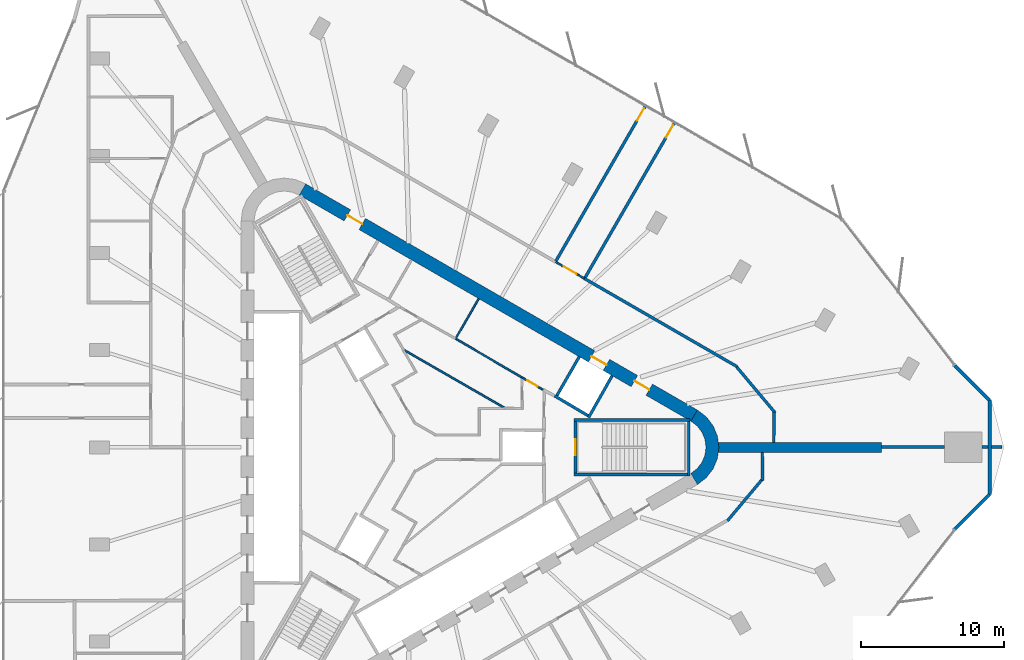
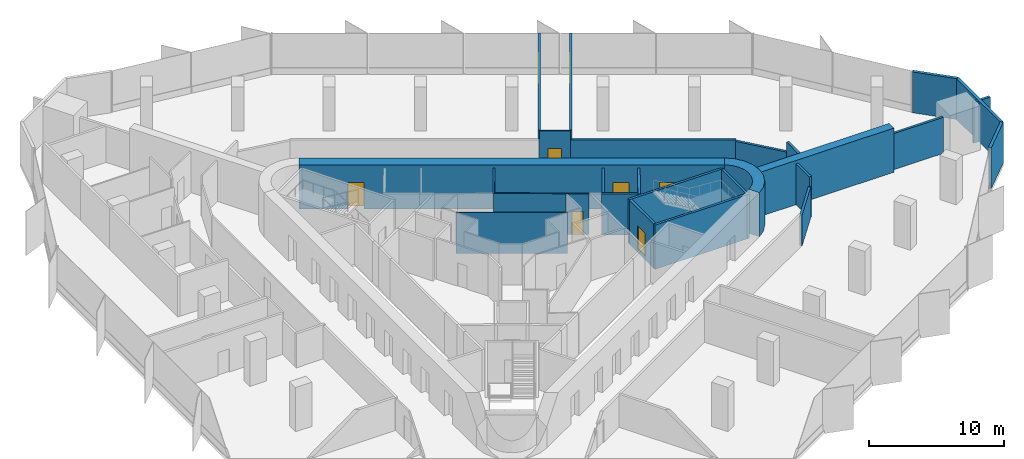
# One storey, part 12 of 14: 28 walls, 8 doors, 8 openings.
"""IFC4 building model written with IfcOpenShell, lengths in metres."""

from ifc_helpers import new_model, si_unit, direction, frame, frame_2d, origin, place, context, subcontext, project, spatial, polyline, rectangle, outline, extrude, material, layer, layer_set, type_object, element, fill, save


model = new_model("IFC4")

# Units and contexts
model_context = context("Model", 3, precision=1e-05, world=origin(), true_north=direction((0.0, 1.0)))
body_context = subcontext(model_context, "Body", "Model", "MODEL_VIEW")
ifc_project = project(units=[si_unit("LENGTHUNIT", "METRE"), si_unit("AREAUNIT", "SQUARE_METRE"), si_unit("VOLUMEUNIT", "CUBIC_METRE"), si_unit("PLANEANGLEUNIT", "RADIAN"), si_unit("MASSUNIT", "GRAM", prefix="KILO")], contexts=[model_context])

# Site, building, storey
site_placement = place(None, origin())
site = spatial("IfcSite", under=ifc_project, at=site_placement, CompositionType="ELEMENT")
building_placement = place(site_placement, origin())
building = spatial("IfcBuilding", under=site, at=building_placement, Name="Tanit Gate Tower", CompositionType="ELEMENT")
storey_placement = place(building_placement, frame((0.0, 0.0, 233.199951171875)))
storey = spatial("IfcBuildingStorey", under=building, at=storey_placement, Name="L52", CompositionType="ELEMENT", Elevation=233.199951171875)

# Wall
ifc_material_1 = material(Name="Concrete C50/60", Category="concrete")
ifc_layer_1 = layer(ifc_material_1, 0.699951171875)
ifc_layer_set_1 = layer_set([ifc_layer_1], Name="BUTTRESS FIN 700 C50/60")
wall_type_1 = type_object("IfcWallType", Name="BUTTRESS FIN 700 C50/60", PredefinedType="SHEAR", material=ifc_layer_set_1)
wall_1_placement = place(storey_placement, frame((21.14990234375, 0.0, 0.0), z_axis=(0.0, 0.0, 1.0), x_axis=(1.0, 0.0, 0.0)))
element("IfcWall", 1, at=wall_1_placement, inside=storey, type_object=wall_type_1, Name="BUTTRESS FIN", PredefinedType="SHEAR", context=body_context, shape_type="SweptSolid", body=[
    extrude(rectangle(XDim=11.3681640625, YDim=0.699951171875, at=frame_2d((5.68408203125, 0.0))), origin(), (0.0, 0.0, 1.0), 4.0),
])

# Wall, openings, doors
ifc_material_2 = material(Name="Concrete C50/60", Category="concrete")
ifc_layer_2 = layer(ifc_material_2, 0.89990234375)
ifc_layer_set_2 = layer_set([ifc_layer_2], Name="CORE WALL 900 C50/60")
wall_type_2 = type_object("IfcWallType", Name="CORE WALL 900 C50/60", PredefinedType="SHEAR", material=ifc_layer_set_2)
wall_2_placement = place(storey_placement, frame((19.47509765625, 2.20849609375, 0.0), z_axis=(0.0, 0.0, 1.0), x_axis=(-0.866028369851, 0.499994862586, 0.0)))
wall_2 = element("IfcWall", 2, at=wall_2_placement, inside=storey, type_object=wall_type_2, Name="CORE WALL", PredefinedType="SHEAR", context=body_context, shape_type="SweptSolid", body=[
    extrude(rectangle(XDim=31.523193359375, YDim=0.89990234375, at=frame_2d((15.76171875, 0.0))), origin(), (0.0, 0.0, 1.0), 4.0),
])
opening_1_placement = place(wall_2_placement, frame((7.0615234375, 0.0, 0.0)))
opening_1 = element("IfcOpeningElement", 3, at=opening_1_placement, cuts=wall_2, Name="Opening LDML8-S14", PredefinedType="OPENING", context=body_context, shape_type="SweptSolid", body=[
    extrude(rectangle(XDim=1.199951171875, YDim=2.39990234375, at=frame_2d((0.60009765625, 1.199951171875))), frame((0.0, 0.4599609375, 0.0), z_axis=(0.0, -1.0, 0.0), x_axis=(1.0, 0.0, 0.0)), (0.0, 0.0, 1.0), 0.919921875),
])
opening_2_placement = place(wall_2_placement, frame((3.611572265625, 0.0, 0.0)))
opening_2 = element("IfcOpeningElement", 4, at=opening_2_placement, cuts=wall_2, Name="Opening F12-S14-FL1", PredefinedType="OPENING", context=body_context, shape_type="SweptSolid", body=[
    extrude(rectangle(XDim=1.199951171875, YDim=2.39990234375, at=frame_2d((0.60009765625, 1.199951171875))), frame((0.0, 0.4599609375, 0.0), z_axis=(0.0, -1.0, 0.0), x_axis=(1.0, 0.0, 0.0)), (0.0, 0.0, 1.0), 0.919921875),
])
opening_3_placement = place(wall_2_placement, frame((26.711669921875, 0.0, 0.0)))
opening_3 = element("IfcOpeningElement", 5, at=opening_3_placement, cuts=wall_2, Name="Opening F12-S14-S2", PredefinedType="OPENING", context=body_context, shape_type="SweptSolid", body=[
    extrude(rectangle(XDim=1.199951171875, YDim=2.39990234375, at=frame_2d((0.60009765625, 1.199951171875))), frame((0.0, 0.4599609375, 0.0), z_axis=(0.0, -1.0, 0.0), x_axis=(1.0, 0.0, 0.0)), (0.0, 0.0, 1.0), 0.919921875),
])
ifc_material_3 = material(Name="Fire-rated steel door leaf", Category="steel")
door_type_1 = type_object("IfcDoorType", Name="INT-DOOR-FIRE-LOBBY-1200", OperationType="NOTDEFINED", PredefinedType="USERDEFINED", material=ifc_material_3)
door_1_placement = place(opening_2_placement, origin())
door_1 = element("IfcDoor", 6, at=door_1_placement, inside=storey, type_object=door_type_1, Name="Door F12-S14-FL1", ObjectType="FIRE DOOR", OperationType="SINGLE_SWING_RIGHT", OverallHeight=2.39990234375, OverallWidth=1.199951171875, PredefinedType="USERDEFINED", context=body_context, shape_type="SweptSolid", body=[
    extrude(rectangle(XDim=1.199951171875, YDim=2.39990234375, at=frame_2d((0.60009765625, 1.199951171875))), frame((0.0, 0.02490234375, 0.0), z_axis=(0.0, -1.0, 0.0), x_axis=(1.0, 0.0, 0.0)), (0.0, 0.0, 1.0), 0.050048828125),
])
fill(opening_2, door_1)
door_2_placement = place(opening_3_placement, origin())
door_2 = element("IfcDoor", 7, at=door_2_placement, inside=storey, type_object=door_type_1, Name="Door F12-S14-S2", ObjectType="FIRE DOOR", OperationType="SINGLE_SWING_RIGHT", OverallHeight=2.39990234375, OverallWidth=1.199951171875, PredefinedType="USERDEFINED", context=body_context, shape_type="SweptSolid", body=[
    extrude(rectangle(XDim=1.199951171875, YDim=2.39990234375, at=frame_2d((0.60009765625, 1.199951171875))), frame((0.0, 0.02490234375, 0.0), z_axis=(0.0, -1.0, 0.0), x_axis=(1.0, 0.0, 0.0)), (0.0, 0.0, 1.0), 0.050048828125),
])
fill(opening_3, door_2)
ifc_material_4 = material(Name="Stainless steel sliding door leaf", Category="steel")
door_type_2 = type_object("IfcDoorType", Name="INT-DOOR-LANDING-1200", OperationType="NOTDEFINED", PredefinedType="USERDEFINED", material=ifc_material_4)
door_3_placement = place(opening_1_placement, origin())
door_3 = element("IfcDoor", 8, at=door_3_placement, inside=storey, type_object=door_type_2, Name="Door LDML8-S14", ObjectType="LANDING DOOR", OperationType="SLIDING_TO_LEFT", OverallHeight=2.39990234375, OverallWidth=1.199951171875, PredefinedType="USERDEFINED", context=body_context, shape_type="SweptSolid", body=[
    extrude(rectangle(XDim=1.199951171875, YDim=2.39990234375, at=frame_2d((0.60009765625, 1.199951171875))), frame((0.0, 0.02490234375, 0.0), z_axis=(0.0, -1.0, 0.0), x_axis=(1.0, 0.0, 0.0)), (0.0, 0.0, 1.0), 0.050048828125),
])
fill(opening_1, door_3)

# Walls
wall_3_placement = place(storey_placement, origin())
element("IfcWall", 9, at=wall_3_placement, inside=storey, type_object=wall_type_2, Name="CORE WALL CORNER", PredefinedType="SHEAR", context=body_context, shape_type="SweptSolid", body=[
    extrude(outline(polyline([(19.699951171875, -2.59814453125), (20.3212890625, -2.121337890625), (20.798095703125, -1.5), (21.097900390625, -0.776611328125), (21.199951171875, 0.0), (21.097900390625, 0.776611328125), (20.798095703125, 1.5), (20.3212890625, 2.121337890625), (19.699951171875, 2.59814453125), (19.25, 1.818603515625), (19.684814453125, 1.48486328125), (20.018798828125, 1.050048828125), (20.228515625, 0.54345703125), (20.300048828125, 0.0), (20.228515625, -0.54345703125), (20.018798828125, -1.050048828125), (19.684814453125, -1.48486328125), (19.25, -1.818603515625), (19.699951171875, -2.59814453125)])), origin(), (0.0, 0.0, 1.0), 4.0),
])
ifc_material_5 = material(Name="Concrete C30/37 with bronze anodised aluminium cladding", Category="concrete")
ifc_layer_3 = layer(ifc_material_5, 0.239990234375)
ifc_layer_set_3 = layer_set([ifc_layer_3], Name="Facade wall bronze clad 240")
wall_type_3 = type_object("IfcWallType", Name="Facade wall bronze clad 240", PredefinedType="SOLIDWALL", material=ifc_layer_set_3)
wall_4_placement = place(storey_placement, frame((37.635009765625, -5.713134765625, 0.0), z_axis=(0.0, 0.0, 1.0), x_axis=(0.707106781187, 0.707106781187, 0.0)))
element("IfcWall", 10, at=wall_4_placement, inside=storey, type_object=wall_type_3, Name="Bronze-clad facade wall L52 E.arc1", PredefinedType="SOLIDWALL", context=body_context, shape_type="SweptSolid", body=[
    extrude(rectangle(XDim=3.437744140625, YDim=0.239990234375, at=frame_2d((1.71875, 0.0))), origin(), (0.0, 0.0, 1.0), 3.699951171875),
])
wall_5_placement = place(storey_placement, frame((40.06591796875, -3.2822265625, 0.0), z_axis=(0.0, 0.0, 1.0), x_axis=(0.0, 1.0, 0.0)))
element("IfcWall", 11, at=wall_5_placement, inside=storey, type_object=wall_type_3, Name="Bronze-clad facade wall L52 E.arc2", PredefinedType="SOLIDWALL", context=body_context, shape_type="SweptSolid", body=[
    extrude(rectangle(XDim=6.564453125, YDim=0.239990234375, at=frame_2d((3.2822265625, 0.0))), origin(), (0.0, 0.0, 1.0), 3.699951171875),
])
wall_6_placement = place(storey_placement, frame((40.06591796875, 3.2822265625, 0.0), z_axis=(0.0, 0.0, 1.0), x_axis=(-0.707106781187, 0.707106781187, 0.0)))
element("IfcWall", 12, at=wall_6_placement, inside=storey, type_object=wall_type_3, Name="Bronze-clad facade wall L52 E.arc3", PredefinedType="SOLIDWALL", context=body_context, shape_type="SweptSolid", body=[
    extrude(rectangle(XDim=3.437744140625, YDim=0.239990234375, at=frame_2d((1.71875, 0.0))), origin(), (0.0, 0.0, 1.0), 3.699951171875),
])
ifc_material_6 = material(Name="Fire-rated gypsum board partition")
ifc_layer_4 = layer(ifc_material_6, 0.199951171875)
ifc_layer_set_4 = layer_set([ifc_layer_4], Name="INT-WALL-COMPARTMENT")
wall_type_4 = type_object("IfcWallType", Name="INT-WALL-COMPARTMENT", PredefinedType="PARTITIONING", material=ifc_layer_set_4)
wall_7_placement = place(storey_placement, frame((22.466064453125, 5.619873046875, 0.0), z_axis=(0.0, 0.0, 1.0), x_axis=(-0.866024234898, 0.500002024564, 0.0)))
element("IfcWall", 13, at=wall_7_placement, inside=storey, type_object=wall_type_4, Name="Wall Compartment W112", PredefinedType="PARTITIONING", context=body_context, shape_type="SweptSolid", body=[
    extrude(rectangle(XDim=12.29638671875, YDim=0.199951171875, at=frame_2d((6.148193359375, 0.0))), origin(), (0.0, 0.0, 1.0), 2.880126953125),
])
wall_8_placement = place(storey_placement, frame((25.12109375, 2.40283203125, 0.0), z_axis=(0.0, 0.0, 1.0), x_axis=(-0.642809831665, 0.766025796116, 0.0)))
element("IfcWall", 14, at=wall_8_placement, inside=storey, type_object=wall_type_4, Name="Wall Compartment W113", PredefinedType="PARTITIONING", context=body_context, shape_type="SweptSolid", body=[
    extrude(rectangle(XDim=4.164794921875, YDim=0.199951171875, at=frame_2d((2.08251953125, 0.0))), origin(), (0.0, 0.0, 1.0), 2.780029296875),
])
wall_9_placement = place(storey_placement, frame((25.0205078125, 0.35009765625, 0.0), z_axis=(0.0, 0.0, 1.0), x_axis=(0.012014998271, 0.999927817303, 0.0)))
element("IfcWall", 15, at=wall_9_placement, inside=storey, type_object=wall_type_4, Name="Wall Compartment W114", PredefinedType="PARTITIONING", context=body_context, shape_type="SweptSolid", body=[
    extrude(rectangle(XDim=2.093017578125, YDim=0.199951171875, at=frame_2d((1.04638671875, 0.0))), origin(), (0.0, 0.0, 1.0), 3.699951171875),
])
wall_10_placement = place(storey_placement, frame((24.247802734375, -2.316650390625, 0.0), z_axis=(0.0, 0.0, 1.0), x_axis=(-0.013654841032, 0.999906768312, 0.0)))
element("IfcWall", 16, at=wall_10_placement, inside=storey, type_object=wall_type_4, Name="Wall Compartment W116", PredefinedType="PARTITIONING", context=body_context, shape_type="SweptSolid", body=[
    extrude(rectangle(XDim=1.966796875, YDim=0.199951171875, at=frame_2d((0.9833984375, 0.0))), origin(), (0.0, 0.0, 1.0), 3.699951171875),
])
wall_11_placement = place(storey_placement, frame((21.79296875, -5.124267578125, 0.0), z_axis=(0.0, 0.0, 1.0), x_axis=(0.642787733653, 0.766044339098, 0.0)))
element("IfcWall", 17, at=wall_11_placement, inside=storey, type_object=wall_type_4, Name="Wall Compartment W117", PredefinedType="PARTITIONING", context=body_context, shape_type="SweptSolid", body=[
    extrude(rectangle(XDim=3.767333984375, YDim=0.199951171875, at=frame_2d((1.8837890625, 0.0))), origin(), (0.0, 0.0, 1.0), 2.780029296875),
])

# Wall, opening, door
wall_12_placement = place(storey_placement, frame((16.085693359375, 23.80126953125, 0.0), z_axis=(0.0, 0.0, 1.0), x_axis=(-0.499993063803, -0.866029408363, 0.0)))
wall_12 = element("IfcWall", 18, at=wall_12_placement, inside=storey, type_object=wall_type_4, Name="Wall Compartment W145", PredefinedType="PARTITIONING", context=body_context, shape_type="SweptSolid", body=[
    extrude(rectangle(XDim=12.495361328125, YDim=0.199951171875, at=frame_2d((6.24755859375, 0.0))), origin(), (0.0, 0.0, 1.0), 3.699951171875),
])
opening_4_placement = place(wall_12_placement, frame((0.199951171875, 0.0, 0.0)))
opening_4 = element("IfcOpeningElement", 19, at=opening_4_placement, cuts=wall_12, Name="Opening F10-S14-34", PredefinedType="OPENING", context=body_context, shape_type="SweptSolid", body=[
    extrude(rectangle(XDim=1.0, YDim=2.10009765625, at=frame_2d((0.5, 1.050048828125))), frame((0.0, 0.10986328125, 0.0), z_axis=(0.0, -1.0, 0.0), x_axis=(1.0, 0.0, 0.0)), (0.0, 0.0, 1.0), 0.219970703125),
])
ifc_material_7 = material(Name="Fire-rated steel door leaf", Category="steel")
door_type_3 = type_object("IfcDoorType", Name="INT-DOOR-FIRE-1000", OperationType="NOTDEFINED", PredefinedType="USERDEFINED", material=ifc_material_7)
door_4_placement = place(opening_4_placement, origin())
door_4 = element("IfcDoor", 20, at=door_4_placement, inside=storey, type_object=door_type_3, Name="Door F10-S14-34", ObjectType="FIRE DOOR", OperationType="SINGLE_SWING_RIGHT", OverallHeight=2.10009765625, OverallWidth=1.0, PredefinedType="USERDEFINED", context=body_context, shape_type="SweptSolid", body=[
    extrude(rectangle(XDim=1.0, YDim=2.10009765625, at=frame_2d((0.5, 1.050048828125))), frame((0.0, 0.02490234375, 0.0), z_axis=(0.0, -1.0, 0.0), x_axis=(1.0, 0.0, 0.0)), (0.0, 0.0, 1.0), 0.050048828125),
])
fill(opening_4, door_4)

wall_13_placement = place(storey_placement, frame((11.864501953125, 11.81005859375, 0.0), z_axis=(0.0, 0.0, 1.0), x_axis=(0.500007717682, 0.866020947933, 0.0)))
wall_13 = element("IfcWall", 21, at=wall_13_placement, inside=storey, type_object=wall_type_4, Name="Wall Compartment W146", PredefinedType="PARTITIONING", context=body_context, shape_type="SweptSolid", body=[
    extrude(rectangle(XDim=12.495361328125, YDim=0.199951171875, at=frame_2d((6.24755859375, 0.0))), origin(), (0.0, 0.0, 1.0), 3.699951171875),
])
opening_5_placement = place(wall_13_placement, frame((11.29541015625, 0.0, 0.0)))
opening_5 = element("IfcOpeningElement", 22, at=opening_5_placement, cuts=wall_13, Name="Opening F10-S14-35", PredefinedType="OPENING", context=body_context, shape_type="SweptSolid", body=[
    extrude(rectangle(XDim=1.0, YDim=2.10009765625, at=frame_2d((0.5, 1.050048828125))), frame((0.0, 0.10986328125, 0.0), z_axis=(0.0, -1.0, 0.0), x_axis=(1.0, 0.0, 0.0)), (0.0, 0.0, 1.0), 0.219970703125),
])
door_5_placement = place(opening_5_placement, origin())
door_5 = element("IfcDoor", 23, at=door_5_placement, inside=storey, type_object=door_type_3, Name="Door F10-S14-35", ObjectType="FIRE DOOR", OperationType="SINGLE_SWING_RIGHT", OverallHeight=2.10009765625, OverallWidth=1.0, PredefinedType="USERDEFINED", context=body_context, shape_type="SweptSolid", body=[
    extrude(rectangle(XDim=1.0, YDim=2.10009765625, at=frame_2d((0.5, 1.050048828125))), frame((0.0, 0.02490234375, 0.0), z_axis=(0.0, -1.0, 0.0), x_axis=(1.0, 0.0, 0.0)), (0.0, 0.0, 1.0), 0.050048828125),
])
fill(opening_5, door_5)

# Walls
wall_14_placement = place(storey_placement, frame((40.937255859375, 0.030029296875, 0.0), z_axis=(0.0, 0.0, 1.0), x_axis=(-1.0, 0.0, 0.0)))
element("IfcWall", 24, at=wall_14_placement, inside=storey, type_object=wall_type_4, Name="Wall Compartment W149", PredefinedType="PARTITIONING", context=body_context, shape_type="SweptSolid", body=[
    extrude(rectangle(XDim=0.75146484375, YDim=0.199951171875, at=frame_2d((0.375732421875, 0.0))), origin(), (0.0, 0.0, 1.0), 3.699951171875),
])
wall_15_placement = place(storey_placement, frame((39.94580078125, 0.030029296875, 0.0), z_axis=(0.0, 0.0, 1.0), x_axis=(-1.0, 0.0, 0.0)))
element("IfcWall", 25, at=wall_15_placement, inside=storey, type_object=wall_type_4, Name="Wall Compartment W149x1", PredefinedType="PARTITIONING", context=body_context, shape_type="SweptSolid", body=[
    extrude(rectangle(XDim=0.42626953125, YDim=0.199951171875, at=frame_2d((0.213134765625, 0.0))), origin(), (0.0, 0.0, 1.0), 3.699951171875),
])
wall_16_placement = place(storey_placement, frame((36.919677734375, 0.030029296875, 0.0), z_axis=(0.0, 0.0, 1.0), x_axis=(-1.0, 0.0, 0.0)))
element("IfcWall", 26, at=wall_16_placement, inside=storey, type_object=wall_type_4, Name="Wall Compartment W148", PredefinedType="PARTITIONING", context=body_context, shape_type="SweptSolid", body=[
    extrude(rectangle(XDim=4.401611328125, YDim=0.199951171875, at=frame_2d((2.20068359375, 0.0))), origin(), (0.0, 0.0, 1.0), 3.27001953125),
])
ifc_material_8 = material(Name="Gypsum board partition")
ifc_layer_5 = layer(ifc_material_8, 0.1201171875)
ifc_layer_set_5 = layer_set([ifc_layer_5], Name="INT-WALL-PARTITION")
wall_type_5 = type_object("IfcWallType", Name="INT-WALL-PARTITION", PredefinedType="PARTITIONING", material=ifc_layer_set_5)
wall_17_placement = place(storey_placement, frame((4.456787109375, 10.359375, 0.0), z_axis=(0.0, 0.0, 1.0), x_axis=(-0.500017246033, -0.866015446554, 0.0)))
element("IfcWall", 27, at=wall_17_placement, inside=storey, type_object=wall_type_5, Name="Wall Partition W049", PredefinedType="PARTITIONING", context=body_context, shape_type="SweptSolid", body=[
    extrude(rectangle(XDim=3.25, YDim=0.1201171875, at=frame_2d((1.625, 0.0))), origin(), (0.0, 0.0, 1.0), 3.699951171875),
])
wall_18_placement = place(storey_placement, frame((2.82080078125, 7.5859375, 0.0), z_axis=(0.0, 0.0, 1.0), x_axis=(0.863262357411, -0.504755487615, 0.0)))
element("IfcWall", 28, at=wall_18_placement, inside=storey, type_object=wall_type_5, Name="Wall Partition W051", PredefinedType="PARTITIONING", context=body_context, shape_type="SweptSolid", body=[
    extrude(rectangle(XDim=5.370361328125, YDim=0.1201171875, at=frame_2d((2.68505859375, 0.0))), origin(), (0.0, 0.0, 1.0), 3.699951171875),
])

# Wall, opening, door
wall_19_placement = place(storey_placement, frame((7.45654296875, 4.874755859375, 0.0), z_axis=(0.0, 0.0, 1.0), x_axis=(0.866027945518, -0.499995597562, 0.0)))
wall_19 = element("IfcWall", 29, at=wall_19_placement, inside=storey, type_object=wall_type_5, Name="Wall Partition W052", PredefinedType="PARTITIONING", context=body_context, shape_type="SweptSolid", body=[
    extrude(rectangle(XDim=1.7021484375, YDim=0.1201171875, at=frame_2d((0.85107421875, 0.0))), origin(), (0.0, 0.0, 1.0), 3.699951171875),
])
opening_6_placement = place(wall_19_placement, frame((0.461181640625, 0.0, 0.0)))
opening_6 = element("IfcOpeningElement", 30, at=opening_6_placement, cuts=wall_19, Name="Opening R08-S14-15", PredefinedType="OPENING", context=body_context, shape_type="SweptSolid", body=[
    extrude(rectangle(XDim=0.800048828125, YDim=2.10009765625, at=frame_2d((0.39990234375, 1.050048828125))), frame((0.0, 0.070068359375, 0.0), z_axis=(0.0, -1.0, 0.0), x_axis=(1.0, 0.0, 0.0)), (0.0, 0.0, 1.0), 0.14013671875),
])
ifc_material_9 = material(Name="Timber door leaf", Category="wood")
door_type_4 = type_object("IfcDoorType", Name="INT-DOOR-RISER-800", OperationType="NOTDEFINED", PredefinedType="USERDEFINED", material=ifc_material_9)
door_6_placement = place(opening_6_placement, origin())
door_6 = element("IfcDoor", 31, at=door_6_placement, inside=storey, type_object=door_type_4, Name="Door R08-S14-15", ObjectType="FIRE DOOR", OperationType="SINGLE_SWING_RIGHT", OverallHeight=2.10009765625, OverallWidth=0.800048828125, PredefinedType="USERDEFINED", context=body_context, shape_type="SweptSolid", body=[
    extrude(rectangle(XDim=0.800048828125, YDim=2.10009765625, at=frame_2d((0.39990234375, 1.050048828125))), frame((0.0, 0.02490234375, 0.0), z_axis=(0.0, -1.0, 0.0), x_axis=(1.0, 0.0, 0.0)), (0.0, 0.0, 1.0), 0.050048828125),
])
fill(opening_6, door_6)

# Wall
wall_20_placement = place(storey_placement, frame((-0.826904296875, 6.832275390625, 0.0), z_axis=(0.0, 0.0, 1.0), x_axis=(0.866020293397, -0.500008851346, 0.0)))
element("IfcWall", 32, at=wall_20_placement, inside=storey, type_object=wall_type_5, Name="Wall Partition W078", PredefinedType="PARTITIONING", context=body_context, shape_type="SweptSolid", body=[
    extrude(rectangle(XDim=8.264404296875, YDim=0.1201171875, at=frame_2d((4.13232421875, 0.0))), origin(), (0.0, 0.0, 1.0), 3.699951171875),
])

# Wall, opening, door
wall_21_placement = place(storey_placement, frame((11.817138671875, 11.76806640625, 0.0), z_axis=(0.0, 0.0, 1.0), x_axis=(-0.86602648383, 0.499998129301, 0.0)))
wall_21 = element("IfcWall", 33, at=wall_21_placement, inside=storey, type_object=wall_type_5, Name="Wall Partition W108", PredefinedType="PARTITIONING", context=body_context, shape_type="SweptSolid", body=[
    extrude(rectangle(XDim=2.2998046875, YDim=0.1201171875, at=frame_2d((1.14990234375, 0.0))), origin(), (0.0, 0.0, 1.0), 3.699951171875),
])
opening_7_placement = place(wall_21_placement, frame((0.64990234375, 0.0, 0.0)))
opening_7 = element("IfcOpeningElement", 34, at=opening_7_placement, cuts=wall_21, Name="Opening D10-S14-21", PredefinedType="OPENING", context=body_context, shape_type="SweptSolid", body=[
    extrude(rectangle(XDim=1.0, YDim=2.10009765625, at=frame_2d((0.5, 1.050048828125))), frame((0.0, 0.070068359375, 0.0), z_axis=(0.0, -1.0, 0.0), x_axis=(1.0, 0.0, 0.0)), (0.0, 0.0, 1.0), 0.14013671875),
])
ifc_material_10 = material(Name="Timber door leaf", Category="wood")
door_type_5 = type_object("IfcDoorType", Name="INT-DOOR-SINGLE-1000", OperationType="NOTDEFINED", PredefinedType="NOTDEFINED", material=ifc_material_10)
door_7_placement = place(opening_7_placement, origin())
door_7 = element("IfcDoor", 35, at=door_7_placement, inside=storey, type_object=door_type_5, Name="Door D10-S14-21", OperationType="SINGLE_SWING_RIGHT", OverallHeight=2.10009765625, OverallWidth=1.0, PredefinedType="NOTDEFINED", context=body_context, shape_type="SweptSolid", body=[
    extrude(rectangle(XDim=1.0, YDim=2.10009765625, at=frame_2d((0.5, 1.050048828125))), frame((0.0, 0.02490234375, 0.0), z_axis=(0.0, -1.0, 0.0), x_axis=(1.0, 0.0, 0.0)), (0.0, 0.0, 1.0), 0.050048828125),
])
fill(opening_7, door_7)

# Walls
ifc_material_11 = material(Name="Gypsum shaft wall system")
ifc_layer_6 = layer(ifc_material_11, 0.199951171875)
ifc_layer_set_6 = layer_set([ifc_layer_6], Name="INT-WALL-SHAFT")
wall_type_6 = type_object("IfcWallType", Name="INT-WALL-SHAFT", PredefinedType="PLUMBINGWALL", material=ifc_layer_set_6)
wall_22_placement = place(storey_placement, frame((9.8466796875, 3.494873046875, 0.0), z_axis=(0.0, 0.0, 1.0), x_axis=(0.499984717929, 0.866034226713, 0.0)))
element("IfcWall", 36, at=wall_22_placement, inside=storey, type_object=wall_type_6, Name="Wall Shaft W012", PredefinedType="PLUMBINGWALL", context=body_context, shape_type="SweptSolid", body=[
    extrude(rectangle(XDim=3.25, YDim=0.199951171875, at=frame_2d((1.625, 0.0))), origin(), (0.0, 0.0, 1.0), 3.699951171875),
])
wall_23_placement = place(storey_placement, frame((12.10986328125, 2.07275390625, 0.0), z_axis=(0.0, 0.0, 1.0), x_axis=(0.49196600604, 0.870614408852, 0.0)))
element("IfcWall", 37, at=wall_23_placement, inside=storey, type_object=wall_type_6, Name="Wall Shaft W013", PredefinedType="PLUMBINGWALL", context=body_context, shape_type="SweptSolid", body=[
    extrude(rectangle(XDim=3.35009765625, YDim=0.199951171875, at=frame_2d((1.675048828125, 0.0))), origin(), (0.0, 0.0, 1.0), 3.699951171875),
])
wall_24_placement = place(storey_placement, frame((12.072998046875, 2.2109375, 0.0), z_axis=(0.0, 0.0, 1.0), x_axis=(-0.860414880418, 0.509594185166, 0.0)))
element("IfcWall", 38, at=wall_24_placement, inside=storey, type_object=wall_type_6, Name="Wall Shaft W014", PredefinedType="PLUMBINGWALL", context=body_context, shape_type="SweptSolid", body=[
    extrude(rectangle(XDim=2.7001953125, YDim=0.199951171875, at=frame_2d((1.35009765625, 0.0))), origin(), (0.0, 0.0, 1.0), 3.699951171875),
])
ifc_material_12 = material(Name="Concrete C40/50", Category="concrete")
ifc_layer_7 = layer(ifc_material_12, 0.199951171875)
ifc_layer_set_7 = layer_set([ifc_layer_7], Name="INT-WALL-STAIR")
wall_type_7 = type_object("IfcWallType", Name="INT-WALL-STAIR", PredefinedType="SHEAR", material=ifc_layer_set_7)
wall_25_placement = place(storey_placement, frame((19.199951171875, 1.89990234375, -0.300048828125), z_axis=(0.0, 0.0, 1.0), x_axis=(-1.0, 0.0, 0.0)))
element("IfcWall", 39, at=wall_25_placement, inside=storey, type_object=wall_type_7, Name="Wall Stair W025", PredefinedType="SHEAR", context=body_context, shape_type="SweptSolid", body=[
    extrude(rectangle(XDim=8.099853515625, YDim=0.199951171875, at=frame_2d((4.0498046875, 0.0))), origin(), (0.0, 0.0, 1.0), 4.0),
])
wall_26_placement = place(storey_placement, frame((19.10009765625, -2.0, -0.300048828125), z_axis=(0.0, 0.0, 1.0), x_axis=(0.0, 1.0, 0.0)))
element("IfcWall", 40, at=wall_26_placement, inside=storey, type_object=wall_type_7, Name="Wall Stair W026", PredefinedType="SHEAR", context=body_context, shape_type="SweptSolid", body=[
    extrude(rectangle(XDim=3.800048828125, YDim=0.199951171875, at=frame_2d((1.89990234375, 0.0))), origin(), (0.0, 0.0, 1.0), 4.0),
])
wall_27_placement = place(storey_placement, frame((11.10009765625, -1.89990234375, -0.300048828125), z_axis=(0.0, 0.0, 1.0), x_axis=(1.0, 0.0, 0.0)))
element("IfcWall", 41, at=wall_27_placement, inside=storey, type_object=wall_type_7, Name="Wall Stair W027", PredefinedType="SHEAR", context=body_context, shape_type="SweptSolid", body=[
    extrude(rectangle(XDim=7.89990234375, YDim=0.199951171875, at=frame_2d((3.949951171875, 0.0))), origin(), (0.0, 0.0, 1.0), 4.0),
])

# Wall, opening, door
wall_28_placement = place(storey_placement, frame((11.199951171875, -1.800048828125, -0.300048828125), z_axis=(0.0, 0.0, 1.0), x_axis=(0.0, 1.0, 0.0)))
wall_28 = element("IfcWall", 42, at=wall_28_placement, inside=storey, type_object=wall_type_7, Name="Wall Stair W028", PredefinedType="SHEAR", context=body_context, shape_type="SweptSolid", body=[
    extrude(rectangle(XDim=3.60009765625, YDim=0.199951171875, at=frame_2d((1.800048828125, 0.0))), origin(), (0.0, 0.0, 1.0), 4.0),
])
opening_8_placement = place(wall_28_placement, frame((1.25, 0.0, 0.300048828125)))
opening_8 = element("IfcOpeningElement", 43, at=opening_8_placement, cuts=wall_28, Name="Opening S11-S14-01", PredefinedType="OPENING", context=body_context, shape_type="SweptSolid", body=[
    extrude(rectangle(XDim=1.10009765625, YDim=2.10009765625, at=frame_2d((0.550048828125, 1.050048828125))), frame((0.0, 0.10986328125, 0.0), z_axis=(0.0, -1.0, 0.0), x_axis=(1.0, 0.0, 0.0)), (0.0, 0.0, 1.0), 0.219970703125),
])
ifc_material_13 = material(Name="Timber door leaf", Category="wood")
door_type_6 = type_object("IfcDoorType", Name="INT-DOOR-STAIR-1100", OperationType="NOTDEFINED", PredefinedType="USERDEFINED", material=ifc_material_13)
door_8_placement = place(opening_8_placement, origin())
door_8 = element("IfcDoor", 44, at=door_8_placement, inside=storey, type_object=door_type_6, Name="Door S11-S14-01", ObjectType="FIRE DOOR", OperationType="SINGLE_SWING_RIGHT", OverallHeight=2.10009765625, OverallWidth=1.10009765625, PredefinedType="USERDEFINED", context=body_context, shape_type="SweptSolid", body=[
    extrude(rectangle(XDim=1.10009765625, YDim=2.10009765625, at=frame_2d((0.550048828125, 1.050048828125))), frame((0.0, 0.02490234375, 0.0), z_axis=(0.0, -1.0, 0.0), x_axis=(1.0, 0.0, 0.0)), (0.0, 0.0, 1.0), 0.050048828125),
])
fill(opening_8, door_8)

save(model, "model.ifc")
